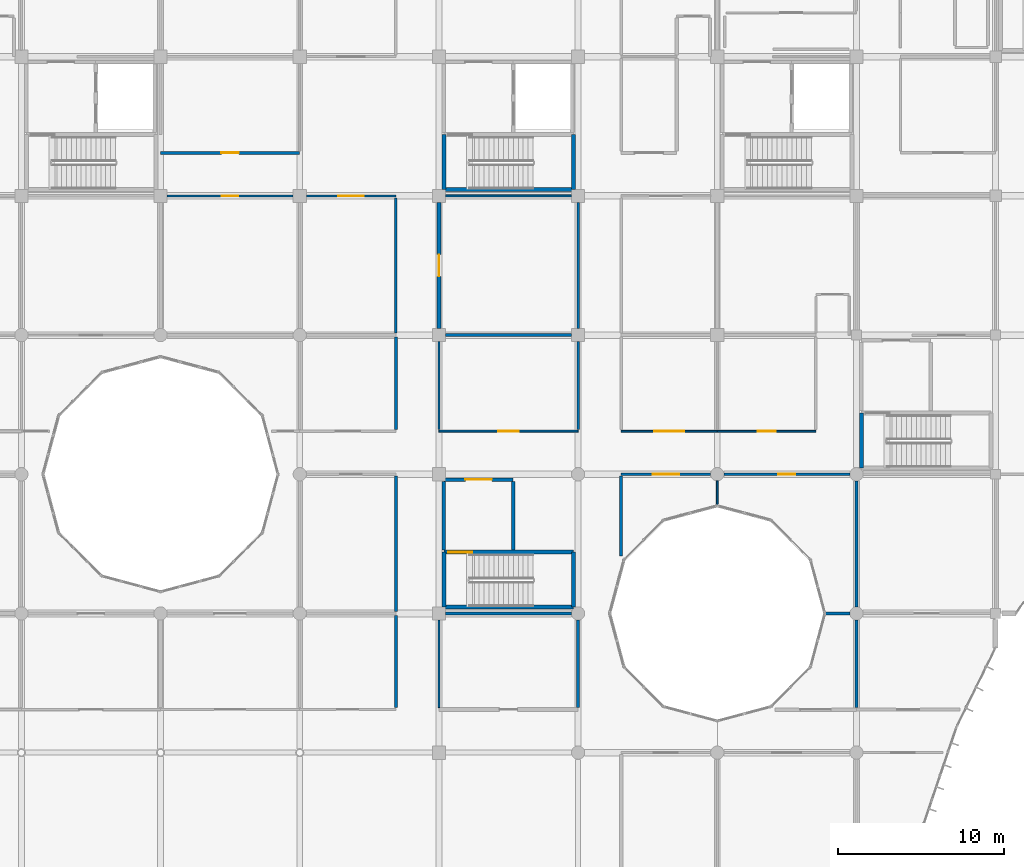
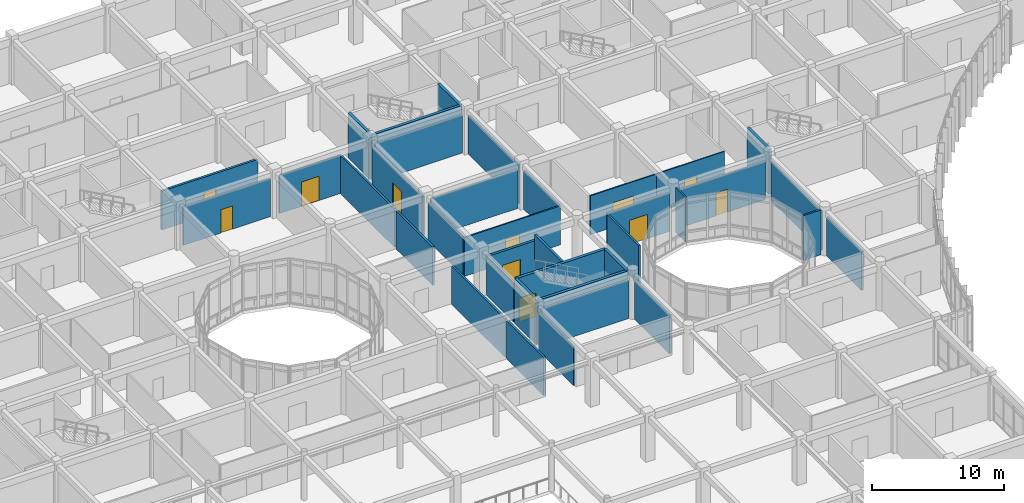
# One storey, part 112 of 144: 37 walls, 11 doors, 11 openings.
"""IFC4 building model written with IfcOpenShell, lengths in metres."""

from ifc_helpers import new_model, si_unit, direction, frame, frame_2d, origin, place, context, subcontext, project, spatial, rectangle, extrude, material, layer, layer_set, type_object, element, fill, save


model = new_model("IFC4")

# Units and contexts
model_context = context("Model", 3, precision=1e-05, world=origin(), true_north=direction((0.0, 1.0)))
body_context = subcontext(model_context, "Body", "Model", "MODEL_VIEW")
ifc_project = project(units=[si_unit("LENGTHUNIT", "METRE"), si_unit("AREAUNIT", "SQUARE_METRE"), si_unit("VOLUMEUNIT", "CUBIC_METRE"), si_unit("PLANEANGLEUNIT", "RADIAN"), si_unit("MASSUNIT", "GRAM", prefix="KILO")], contexts=[model_context])

# Site, building, storey
site_placement = place(None, origin())
site = spatial("IfcSite", under=ifc_project, at=site_placement, CompositionType="ELEMENT")
building_placement = place(site_placement, origin())
building = spatial("IfcBuilding", under=site, at=building_placement, Name="Bramfleet General Hospital", CompositionType="ELEMENT")
storey_placement = place(building_placement, frame((0.0, 0.0, 4.800048828125)))
storey = spatial("IfcBuildingStorey", under=building, at=storey_placement, Name="L01", CompositionType="ELEMENT", Elevation=4.800048828125)

# Wall, opening, door
ifc_material_1 = material(Name="Concrete C35/45", Category="concrete")
ifc_layer_1 = layer(ifc_material_1, 0.219970703125, Name="WT-IW-01")
ifc_layer_set_1 = layer_set([ifc_layer_1], Name="Concrete C35/45")
wall_type_1 = type_object("IfcWallType", Name="WT-IW-01", PredefinedType="PARTITIONING", material=ifc_layer_set_1)
wall_1_placement = place(storey_placement, frame((100.800048828125, 84.39501953125, 0.0), z_axis=(0.0, 0.0, 1.0), x_axis=(0.0, 1.0, 0.0)))
wall_1 = element("IfcWall", 1, at=wall_1_placement, inside=storey, type_object=wall_type_1, Name="L01 Interior Partition IW-L01-1813", PredefinedType="PARTITIONING", context=body_context, shape_type="SweptSolid", body=[
    extrude(rectangle(XDim=7.60986328125, YDim=0.219970703125, at=frame_2d((3.804931640625, 0.0))), origin(), (0.0, 0.0, 1.0), 3.58984375),
])
opening_1_placement = place(wall_1_placement, frame((3.14501953125, 0.0, 0.0)))
opening_1 = element("IfcOpeningElement", 2, at=opening_1_placement, cuts=wall_1, Name="Opening D0760", PredefinedType="OPENING", context=body_context, shape_type="SweptSolid", body=[
    extrude(rectangle(XDim=1.320068359375, YDim=2.179931640625, at=frame_2d((0.66015625, 1.08984375))), frame((0.0, 0.119873046875, 0.0), z_axis=(0.0, -1.0, 0.0), x_axis=(1.0, 0.0, 0.0)), (0.0, 0.0, 1.0), 0.239990234375),
])
ifc_material_2 = material(Name="Stainless steel and acoustic timber leaf", Category="steel")
door_type_1 = type_object("IfcDoorType", Name="DR-D-24", OperationType="NOTDEFINED", PredefinedType="DOOR", material=ifc_material_2)
door_1_placement = place(opening_1_placement, origin())
door_1 = element("IfcDoor", 3, at=door_1_placement, inside=storey, type_object=door_type_1, Name="Pathology and Clinical Laboratory L01-1210A Door D0760", OperationType="SINGLE_SWING_LEFT", OverallHeight=2.179931640625, OverallWidth=1.320068359375, PredefinedType="DOOR", context=body_context, shape_type="SweptSolid", body=[
    extrude(rectangle(XDim=1.320068359375, YDim=2.179931640625, at=frame_2d((0.66015625, 1.08984375))), frame((0.0, 0.02490234375, 0.0), z_axis=(0.0, -1.0, 0.0), x_axis=(1.0, 0.0, 0.0)), (0.0, 0.0, 1.0), 0.050048828125),
])
fill(opening_1, door_1)

# Walls
ifc_layer_2 = layer(ifc_material_1, 0.205078125, Name="WT-IW-02")
ifc_layer_set_2 = layer_set([ifc_layer_2], Name="Concrete C35/45")
wall_type_2 = type_object("IfcWallType", Name="WT-IW-02", PredefinedType="PARTITIONING", material=ifc_layer_set_2)
wall_2_placement = place(storey_placement, frame((105.280029296875, 71.0400390625, 0.0), z_axis=(0.0, 0.0, 1.0), x_axis=(0.0, 1.0, 0.0)))
element("IfcWall", 4, at=wall_2_placement, inside=storey, type_object=wall_type_2, Name="L01 C11 Lobby East Shaft Wall", PredefinedType="PARTITIONING", context=body_context, shape_type="SweptSolid", body=[
    extrude(rectangle(XDim=4.119873046875, YDim=0.205078125, at=frame_2d((2.06005859375, 0.0))), origin(), (0.0, 0.0, 1.0), 4.139892578125),
])
wall_3_placement = place(storey_placement, frame((101.10009765625, 71.0400390625, 0.0), z_axis=(0.0, 0.0, 1.0), x_axis=(0.0, 1.0, 0.0)))
element("IfcWall", 5, at=wall_3_placement, inside=storey, type_object=wall_type_2, Name="L01 C11 Lobby West Compartment Wall", PredefinedType="PARTITIONING", context=body_context, shape_type="SweptSolid", body=[
    extrude(rectangle(XDim=4.119873046875, YDim=0.205078125, at=frame_2d((2.06005859375, 0.0))), origin(), (0.0, 0.0, 1.0), 3.58984375),
])

# Wall, opening, door
wall_4_placement = place(storey_placement, frame((101.10009765625, 75.280029296875, 0.0), z_axis=(0.0, 0.0, 1.0), x_axis=(1.0, 0.0, 0.0)))
wall_4 = element("IfcWall", 6, at=wall_4_placement, inside=storey, type_object=wall_type_2, Name="L01 C11 Lobby North Compartment Wall", PredefinedType="PARTITIONING", context=body_context, shape_type="SweptSolid", body=[
    extrude(rectangle(XDim=4.179931640625, YDim=0.205078125, at=frame_2d((2.08984375, 0.0))), origin(), (0.0, 0.0, 1.0), 3.5400390625),
])
opening_2_placement = place(wall_4_placement, frame((1.2900390625, 0.0, 0.0)))
opening_2 = element("IfcOpeningElement", 7, at=opening_2_placement, cuts=wall_4, Name="Opening D0142", PredefinedType="OPENING", context=body_context, shape_type="SweptSolid", body=[
    extrude(rectangle(XDim=1.60009765625, YDim=2.25, at=frame_2d((0.800048828125, 1.125))), frame((0.0, 0.112548828125, 0.0), z_axis=(0.0, -1.0, 0.0), x_axis=(1.0, 0.0, 0.0)), (0.0, 0.0, 1.0), 0.22509765625),
])
door_type_2 = type_object("IfcDoorType", Name="DR-D-04", OperationType="NOTDEFINED", PredefinedType="DOOR", material=ifc_material_2)
door_2_placement = place(opening_2_placement, origin())
door_2 = element("IfcDoor", 8, at=door_2_placement, inside=storey, type_object=door_type_2, Name="L01 C11 Lobby Fire Door D0142", OperationType="DOUBLE_SWING_LEFT", OverallHeight=2.25, OverallWidth=1.60009765625, PredefinedType="DOOR", context=body_context, shape_type="SweptSolid", body=[
    extrude(rectangle(XDim=1.60009765625, YDim=2.25, at=frame_2d((0.800048828125, 1.125))), frame((0.0, 0.02490234375, 0.0), z_axis=(0.0, -1.0, 0.0), x_axis=(1.0, 0.0, 0.0)), (0.0, 0.0, 1.0), 0.050048828125),
])
fill(opening_2, door_2)

# Wall
ifc_layer_3 = layer(ifc_material_1, 0.18994140625, Name="WT-IW-03")
ifc_layer_set_3 = layer_set([ifc_layer_3], Name="Concrete C35/45")
wall_type_3 = type_object("IfcWallType", Name="WT-IW-03", PredefinedType="PARTITIONING", material=ifc_layer_set_3)
wall_5_placement = place(storey_placement, frame((101.195068359375, 84.0, 0.0), z_axis=(0.0, 0.0, 1.0), x_axis=(1.0, 0.0, 0.0)))
element("IfcWall", 9, at=wall_5_placement, inside=storey, type_object=wall_type_3, Name="L01 Interior Partition IW-L01-1467", PredefinedType="PARTITIONING", context=body_context, shape_type="SweptSolid", body=[
    extrude(rectangle(XDim=7.60986328125, YDim=0.18994140625, at=frame_2d((3.804931640625, 0.0))), origin(), (0.0, 0.0, 1.0), 3.5400390625),
])

# Wall, opening, door
wall_6_placement = place(storey_placement, frame((84.0, 95.0, 0.0), z_axis=(0.0, 0.0, 1.0), x_axis=(1.0, 0.0, 0.0)))
wall_6 = element("IfcWall", 10, at=wall_6_placement, inside=storey, type_object=wall_type_3, Name="L01 Interior Partition IW-L01-1503", PredefinedType="PARTITIONING", context=body_context, shape_type="SweptSolid", body=[
    extrude(rectangle(XDim=8.39990234375, YDim=0.18994140625, at=frame_2d((4.199951171875, 0.0))), origin(), (0.0, 0.0, 1.0), 3.58984375),
])
opening_3_placement = place(wall_6_placement, frame((3.675048828125, 0.0, 0.0)))
opening_3 = element("IfcOpeningElement", 11, at=opening_3_placement, cuts=wall_6, Name="Opening D0745", PredefinedType="OPENING", context=body_context, shape_type="SweptSolid", body=[
    extrude(rectangle(XDim=1.050048828125, YDim=2.14990234375, at=frame_2d((0.52490234375, 1.074951171875))), frame((0.0, 0.10498046875, 0.0), z_axis=(0.0, -1.0, 0.0), x_axis=(1.0, 0.0, 0.0)), (0.0, 0.0, 1.0), 0.2099609375),
])
door_type_3 = type_object("IfcDoorType", Name="DR-D-09", OperationType="NOTDEFINED", PredefinedType="DOOR", material=ifc_material_2)
door_3_placement = place(opening_3_placement, origin())
door_3 = element("IfcDoor", 12, at=door_3_placement, inside=storey, type_object=door_type_3, Name="Pathology and Clinical Laboratory L01-1011A Door D0745", OperationType="SINGLE_SWING_RIGHT", OverallHeight=2.14990234375, OverallWidth=1.050048828125, PredefinedType="DOOR", context=body_context, shape_type="SweptSolid", body=[
    extrude(rectangle(XDim=1.050048828125, YDim=2.14990234375, at=frame_2d((0.52490234375, 1.074951171875))), frame((0.0, 0.02490234375, 0.0), z_axis=(0.0, -1.0, 0.0), x_axis=(1.0, 0.0, 0.0)), (0.0, 0.0, 1.0), 0.050048828125),
])
fill(opening_3, door_3)

# Walls
wall_7_placement = place(storey_placement, frame((98.199951171875, 61.514892578125, 0.0), z_axis=(0.0, 0.0, 1.0), x_axis=(0.0, 1.0, 0.0)))
element("IfcWall", 13, at=wall_7_placement, inside=storey, type_object=wall_type_3, Name="L01 Interior Partition IW-L01-1803", PredefinedType="PARTITIONING", context=body_context, shape_type="SweptSolid", body=[
    extrude(rectangle(XDim=5.570068359375, YDim=0.18994140625, at=frame_2d((2.78515625, 0.0))), origin(), (0.0, 0.0, 1.0), 3.5400390625),
])
ifc_layer_4 = layer(ifc_material_1, 0.179931640625, Name="WT-IW-04")
ifc_layer_set_4 = layer_set([ifc_layer_4], Name="Concrete C35/45")
wall_type_4 = type_object("IfcWallType", Name="WT-IW-04", PredefinedType="PARTITIONING", material=ifc_layer_set_4)
wall_8_placement = place(storey_placement, frame((98.199951171875, 67.31494140625, 0.0), z_axis=(0.0, 0.0, 1.0), x_axis=(0.0, 1.0, 0.0)))
element("IfcWall", 14, at=wall_8_placement, inside=storey, type_object=wall_type_4, Name="L01 Interior Partition IW-L01-1804", PredefinedType="PARTITIONING", context=body_context, shape_type="SweptSolid", body=[
    extrude(rectangle(XDim=8.170166015625, YDim=0.179931640625, at=frame_2d((4.0849609375, 0.0))), origin(), (0.0, 0.0, 1.0), 3.5400390625),
])
wall_9_placement = place(storey_placement, frame((111.800048828125, 70.675048828125, 0.0), z_axis=(0.0, 0.0, 1.0), x_axis=(0.0, 1.0, 0.0)))
element("IfcWall", 15, at=wall_9_placement, inside=storey, type_object=wall_type_4, Name="L01 Interior Partition IW-L01-1828", PredefinedType="PARTITIONING", context=body_context, shape_type="SweptSolid", body=[
    extrude(rectangle(XDim=4.81005859375, YDim=0.179931640625, at=frame_2d((2.405029296875, 0.0))), origin(), (0.0, 0.0, 1.0), 3.5400390625),
])
wall_10_placement = place(storey_placement, frame((126.0, 61.514892578125, 0.0), z_axis=(0.0, 0.0, 1.0), x_axis=(0.0, 1.0, 0.0)))
element("IfcWall", 16, at=wall_10_placement, inside=storey, type_object=wall_type_4, Name="L01 Interior Partition IW-L01-1864", PredefinedType="PARTITIONING", context=body_context, shape_type="SweptSolid", body=[
    extrude(rectangle(XDim=5.2900390625, YDim=0.179931640625, at=frame_2d((2.64501953125, 0.0))), origin(), (0.0, 0.0, 1.0), 3.58984375),
])
ifc_material_3 = material(Name="Gypsum plasterboard on acoustic steel studs", Category="steel")
ifc_layer_5 = layer(ifc_material_3, 0.169921875, Name="WT-IW-05")
ifc_layer_set_5 = layer_set([ifc_layer_5], Name="Gypsum plasterboard on acoustic steel studs")
wall_type_5 = type_object("IfcWallType", Name="WT-IW-05", PredefinedType="PARTITIONING", material=ifc_layer_set_5)
wall_11_placement = place(storey_placement, frame((101.195068359375, 67.199951171875, 0.0), z_axis=(0.0, 0.0, 1.0), x_axis=(1.0, 0.0, 0.0)))
element("IfcWall", 17, at=wall_11_placement, inside=storey, type_object=wall_type_5, Name="L01 Interior Partition IW-L01-1421", PredefinedType="PARTITIONING", context=body_context, shape_type="SweptSolid", body=[
    extrude(rectangle(XDim=7.60986328125, YDim=0.169921875, at=frame_2d((3.804931640625, 0.0))), origin(), (0.0, 0.0, 1.0), 3.5400390625),
])
wall_12_placement = place(storey_placement, frame((98.199951171875, 78.31494140625, 0.0), z_axis=(0.0, 0.0, 1.0), x_axis=(0.0, 1.0, 0.0)))
element("IfcWall", 18, at=wall_12_placement, inside=storey, type_object=wall_type_5, Name="L01 Interior Partition IW-L01-1805", PredefinedType="PARTITIONING", context=body_context, shape_type="SweptSolid", body=[
    extrude(rectangle(XDim=5.570068359375, YDim=0.169921875, at=frame_2d((2.78515625, 0.0))), origin(), (0.0, 0.0, 1.0), 3.5400390625),
])
wall_13_placement = place(storey_placement, frame((109.199951171875, 61.514892578125, 0.0), z_axis=(0.0, 0.0, 1.0), x_axis=(0.0, 1.0, 0.0)))
element("IfcWall", 19, at=wall_13_placement, inside=storey, type_object=wall_type_5, Name="L01 Interior Partition IW-L01-1817", PredefinedType="PARTITIONING", context=body_context, shape_type="SweptSolid", body=[
    extrude(rectangle(XDim=5.2900390625, YDim=0.169921875, at=frame_2d((2.64501953125, 0.0))), origin(), (0.0, 0.0, 1.0), 3.58984375),
])
wall_14_placement = place(storey_placement, frame((126.0, 67.594970703125, 0.0), z_axis=(0.0, 0.0, 1.0), x_axis=(0.0, 1.0, 0.0)))
element("IfcWall", 20, at=wall_14_placement, inside=storey, type_object=wall_type_5, Name="L01 Interior Partition IW-L01-1865", PredefinedType="PARTITIONING", context=body_context, shape_type="SweptSolid", body=[
    extrude(rectangle(XDim=7.610107421875, YDim=0.169921875, at=frame_2d((3.80517578125, 0.0))), origin(), (0.0, 0.0, 1.0), 3.58984375),
])
ifc_layer_6 = layer(ifc_material_3, 0.159912109375, Name="WT-IW-06")
ifc_layer_set_6 = layer_set([ifc_layer_6], Name="Gypsum plasterboard on acoustic steel studs")
wall_type_6 = type_object("IfcWallType", Name="WT-IW-06", PredefinedType="PARTITIONING", material=ifc_layer_set_6)
wall_15_placement = place(storey_placement, frame((124.10009765625, 67.199951171875, 0.0), z_axis=(0.0, 0.0, 1.0), x_axis=(1.0, 0.0, 0.0)))
element("IfcWall", 21, at=wall_15_placement, inside=storey, type_object=wall_type_6, Name="L01 Interior Partition IW-L01-1422", PredefinedType="PARTITIONING", context=body_context, shape_type="SweptSolid", body=[
    extrude(rectangle(XDim=1.5048828125, YDim=0.159912109375, at=frame_2d((0.75244140625, 0.0))), origin(), (0.0, 0.0, 1.0), 4.139892578125),
])

# Wall, opening, door
wall_16_placement = place(storey_placement, frame((111.800048828125, 75.60009765625, 0.0), z_axis=(0.0, 0.0, 1.0), x_axis=(1.0, 0.0, 0.0)))
wall_16 = element("IfcWall", 22, at=wall_16_placement, inside=storey, type_object=wall_type_6, Name="L01 Interior Partition IW-L01-1434", PredefinedType="PARTITIONING", context=body_context, shape_type="SweptSolid", body=[
    extrude(rectangle(XDim=5.405029296875, YDim=0.159912109375, at=frame_2d((2.70263671875, 0.0))), origin(), (0.0, 0.0, 1.0), 3.5400390625),
])
opening_4_placement = place(wall_16_placement, frame((1.902587890625, 0.0, 0.0)))
opening_4 = element("IfcOpeningElement", 23, at=opening_4_placement, cuts=wall_16, Name="Opening D0772", PredefinedType="OPENING", context=body_context, shape_type="SweptSolid", body=[
    extrude(rectangle(XDim=1.60009765625, YDim=2.25, at=frame_2d((0.800048828125, 1.125))), frame((0.0, 0.08984375, 0.0), z_axis=(0.0, -1.0, 0.0), x_axis=(1.0, 0.0, 0.0)), (0.0, 0.0, 1.0), 0.179931640625),
])
door_4_placement = place(opening_4_placement, origin())
door_4 = element("IfcDoor", 24, at=door_4_placement, inside=storey, type_object=door_type_2, Name="Courtyard Waiting Lounge L01-1308 Door D0772", OperationType="DOUBLE_SWING_LEFT", OverallHeight=2.25, OverallWidth=1.60009765625, PredefinedType="DOOR", context=body_context, shape_type="SweptSolid", body=[
    extrude(rectangle(XDim=1.60009765625, YDim=2.25, at=frame_2d((0.800048828125, 1.125))), frame((0.0, 0.02490234375, 0.0), z_axis=(0.0, -1.0, 0.0), x_axis=(1.0, 0.0, 0.0)), (0.0, 0.0, 1.0), 0.050048828125),
])
fill(opening_4, door_4)

# Walls
wall_17_placement = place(storey_placement, frame((98.199951171875, 84.114990234375, 0.0), z_axis=(0.0, 0.0, 1.0), x_axis=(0.0, 1.0, 0.0)))
element("IfcWall", 25, at=wall_17_placement, inside=storey, type_object=wall_type_6, Name="L01 Interior Partition IW-L01-1806", PredefinedType="PARTITIONING", context=body_context, shape_type="SweptSolid", body=[
    extrude(rectangle(XDim=8.169921875, YDim=0.159912109375, at=frame_2d((4.0849609375, 0.0))), origin(), (0.0, 0.0, 1.0), 3.5400390625),
])
wall_18_placement = place(storey_placement, frame((109.199951171875, 78.31494140625, 0.0), z_axis=(0.0, 0.0, 1.0), x_axis=(0.0, 1.0, 0.0)))
element("IfcWall", 26, at=wall_18_placement, inside=storey, type_object=wall_type_6, Name="L01 Interior Partition IW-L01-1818", PredefinedType="PARTITIONING", context=body_context, shape_type="SweptSolid", body=[
    extrude(rectangle(XDim=5.2900390625, YDim=0.159912109375, at=frame_2d((2.64501953125, 0.0))), origin(), (0.0, 0.0, 1.0), 3.58984375),
])

# Wall, opening, door
ifc_layer_7 = layer(ifc_material_3, 0.14990234375, Name="WT-IW-07")
ifc_layer_set_7 = layer_set([ifc_layer_7], Name="Gypsum plasterboard on acoustic steel studs")
wall_type_7 = type_object("IfcWallType", Name="WT-IW-07", PredefinedType="PARTITIONING", material=ifc_layer_set_7)
wall_19_placement = place(storey_placement, frame((117.9951171875, 75.60009765625, 0.0), z_axis=(0.0, 0.0, 1.0), x_axis=(1.0, 0.0, 0.0)))
wall_19 = element("IfcWall", 27, at=wall_19_placement, inside=storey, type_object=wall_type_7, Name="L01 Interior Partition IW-L01-1435", PredefinedType="PARTITIONING", context=body_context, shape_type="SweptSolid", body=[
    extrude(rectangle(XDim=7.60986328125, YDim=0.14990234375, at=frame_2d((3.804931640625, 0.0))), origin(), (0.0, 0.0, 1.0), 3.5400390625),
])
opening_5_placement = place(wall_19_placement, frame((3.294921875, 0.0, 0.0)))
opening_5 = element("IfcOpeningElement", 28, at=opening_5_placement, cuts=wall_19, Name="Opening D0789", PredefinedType="OPENING", context=body_context, shape_type="SweptSolid", body=[
    extrude(rectangle(XDim=1.02001953125, YDim=2.1201171875, at=frame_2d((0.510009765625, 1.06005859375))), frame((0.0, 0.0849609375, 0.0), z_axis=(0.0, -1.0, 0.0), x_axis=(1.0, 0.0, 0.0)), (0.0, 0.0, 1.0), 0.169921875),
])
door_type_4 = type_object("IfcDoorType", Name="DR-D-21", OperationType="NOTDEFINED", PredefinedType="DOOR", material=ifc_material_2)
door_5_placement = place(opening_5_placement, origin())
door_5 = element("IfcDoor", 29, at=door_5_placement, inside=storey, type_object=door_type_4, Name="Courtyard Waiting Lounge L01-1408 Door D0789", OperationType="SINGLE_SWING_RIGHT", OverallHeight=2.1201171875, OverallWidth=1.02001953125, PredefinedType="DOOR", context=body_context, shape_type="SweptSolid", body=[
    extrude(rectangle(XDim=1.02001953125, YDim=2.1201171875, at=frame_2d((0.510009765625, 1.06005859375))), frame((0.0, 0.02490234375, 0.0), z_axis=(0.0, -1.0, 0.0), x_axis=(1.0, 0.0, 0.0)), (0.0, 0.0, 1.0), 0.050048828125),
])
fill(opening_5, door_5)

# Wall
wall_20_placement = place(storey_placement, frame((109.199951171875, 84.39501953125, 0.0), z_axis=(0.0, 0.0, 1.0), x_axis=(0.0, 1.0, 0.0)))
element("IfcWall", 30, at=wall_20_placement, inside=storey, type_object=wall_type_7, Name="L01 Interior Partition IW-L01-1819", PredefinedType="PARTITIONING", context=body_context, shape_type="SweptSolid", body=[
    extrude(rectangle(XDim=7.60986328125, YDim=0.14990234375, at=frame_2d((3.804931640625, 0.0))), origin(), (0.0, 0.0, 1.0), 3.58984375),
])

# Wall, opening, door
ifc_layer_8 = layer(ifc_material_3, 0.139892578125, Name="WT-IW-08")
ifc_layer_set_8 = layer_set([ifc_layer_8], Name="Gypsum plasterboard on acoustic steel studs")
wall_type_8 = type_object("IfcWallType", Name="WT-IW-08", PredefinedType="PARTITIONING", material=ifc_layer_set_8)
wall_21_placement = place(storey_placement, frame((84.39501953125, 92.39990234375, 0.0), z_axis=(0.0, 0.0, 1.0), x_axis=(1.0, 0.0, 0.0)))
wall_21 = element("IfcWall", 31, at=wall_21_placement, inside=storey, type_object=wall_type_8, Name="L01 Interior Partition IW-L01-1484", PredefinedType="PARTITIONING", context=body_context, shape_type="SweptSolid", body=[
    extrude(rectangle(XDim=7.60986328125, YDim=0.139892578125, at=frame_2d((3.804931640625, 0.0))), origin(), (0.0, 0.0, 1.0), 3.5400390625),
])
opening_6_placement = place(wall_21_placement, frame((3.304931640625, 0.0, 0.0)))
opening_6 = element("IfcOpeningElement", 32, at=opening_6_placement, cuts=wall_21, Name="Opening D0744", PredefinedType="OPENING", context=body_context, shape_type="SweptSolid", body=[
    extrude(rectangle(XDim=1.0, YDim=2.14990234375, at=frame_2d((0.5, 1.074951171875))), frame((0.0, 0.079833984375, 0.0), z_axis=(0.0, -1.0, 0.0), x_axis=(1.0, 0.0, 0.0)), (0.0, 0.0, 1.0), 0.159912109375),
])
door_type_5 = type_object("IfcDoorType", Name="DR-D-08", OperationType="NOTDEFINED", PredefinedType="DOOR", material=ifc_material_2)
door_6_placement = place(opening_6_placement, origin())
door_6 = element("IfcDoor", 33, at=door_6_placement, inside=storey, type_object=door_type_5, Name="Pathology and Clinical Laboratory L01-1010A Door D0744", OperationType="SINGLE_SWING_LEFT", OverallHeight=2.14990234375, OverallWidth=1.0, PredefinedType="DOOR", context=body_context, shape_type="SweptSolid", body=[
    extrude(rectangle(XDim=1.0, YDim=2.14990234375, at=frame_2d((0.5, 1.074951171875))), frame((0.0, 0.02490234375, 0.0), z_axis=(0.0, -1.0, 0.0), x_axis=(1.0, 0.0, 0.0)), (0.0, 0.0, 1.0), 0.050048828125),
])
fill(opening_6, door_6)

ifc_layer_9 = layer(ifc_material_3, 0.1298828125, Name="WT-IW-09")
ifc_layer_set_9 = layer_set([ifc_layer_9], Name="Gypsum plasterboard on acoustic steel studs")
wall_type_9 = type_object("IfcWallType", Name="WT-IW-09", PredefinedType="PARTITIONING", material=ifc_layer_set_9)
wall_22_placement = place(storey_placement, frame((92.794921875, 92.39990234375, 0.0), z_axis=(0.0, 0.0, 1.0), x_axis=(1.0, 0.0, 0.0)))
wall_22 = element("IfcWall", 34, at=wall_22_placement, inside=storey, type_object=wall_type_9, Name="L01 Interior Partition IW-L01-1485", PredefinedType="PARTITIONING", context=body_context, shape_type="SweptSolid", body=[
    extrude(rectangle(XDim=5.405029296875, YDim=0.1298828125, at=frame_2d((2.70263671875, 0.0))), origin(), (0.0, 0.0, 1.0), 3.5400390625),
])
opening_7_placement = place(wall_22_placement, frame((1.9326171875, 0.0, 0.0)))
opening_7 = element("IfcOpeningElement", 35, at=opening_7_placement, cuts=wall_22, Name="Opening D0753", PredefinedType="OPENING", context=body_context, shape_type="SweptSolid", body=[
    extrude(rectangle(XDim=1.5400390625, YDim=2.239990234375, at=frame_2d((0.77001953125, 1.1201171875))), frame((0.0, 0.074951171875, 0.0), z_axis=(0.0, -1.0, 0.0), x_axis=(1.0, 0.0, 0.0)), (0.0, 0.0, 1.0), 0.14990234375),
])
door_type_6 = type_object("IfcDoorType", Name="DR-D-17", OperationType="NOTDEFINED", PredefinedType="DOOR", material=ifc_material_2)
door_7_placement = place(opening_7_placement, origin())
door_7 = element("IfcDoor", 36, at=door_7_placement, inside=storey, type_object=door_type_6, Name="Pathology and Clinical Laboratory L01-1110A Door D0753", OperationType="SINGLE_SWING_RIGHT", OverallHeight=2.239990234375, OverallWidth=1.5400390625, PredefinedType="DOOR", context=body_context, shape_type="SweptSolid", body=[
    extrude(rectangle(XDim=1.5400390625, YDim=2.239990234375, at=frame_2d((0.77001953125, 1.1201171875))), frame((0.0, 0.02490234375, 0.0), z_axis=(0.0, -1.0, 0.0), x_axis=(1.0, 0.0, 0.0)), (0.0, 0.0, 1.0), 0.050048828125),
])
fill(opening_7, door_7)

ifc_layer_10 = layer(ifc_material_3, 0.1201171875, Name="WT-IW-10")
ifc_layer_set_10 = layer_set([ifc_layer_10], Name="Gypsum plasterboard on acoustic steel studs")
wall_type_10 = type_object("IfcWallType", Name="WT-IW-10", PredefinedType="PARTITIONING", material=ifc_layer_set_10)
wall_23_placement = place(storey_placement, frame((100.800048828125, 78.199951171875, 0.0), z_axis=(0.0, 0.0, 1.0), x_axis=(1.0, 0.0, 0.0)))
wall_23 = element("IfcWall", 37, at=wall_23_placement, inside=storey, type_object=wall_type_10, Name="L01 Interior Partition IW-L01-1450", PredefinedType="PARTITIONING", context=body_context, shape_type="SweptSolid", body=[
    extrude(rectangle(XDim=8.39990234375, YDim=0.1201171875, at=frame_2d((4.199951171875, 0.0))), origin(), (0.0, 0.0, 1.0), 3.58984375),
])
opening_8_placement = place(wall_23_placement, frame((3.590087890625, 0.0, 0.0)))
opening_8 = element("IfcOpeningElement", 38, at=opening_8_placement, cuts=wall_23, Name="Opening D0759", PredefinedType="OPENING", context=body_context, shape_type="SweptSolid", body=[
    extrude(rectangle(XDim=1.219970703125, YDim=2.179931640625, at=frame_2d((0.60986328125, 1.08984375))), frame((0.0, 0.070068359375, 0.0), z_axis=(0.0, -1.0, 0.0), x_axis=(1.0, 0.0, 0.0)), (0.0, 0.0, 1.0), 0.14013671875),
])
door_type_7 = type_object("IfcDoorType", Name="DR-D-23", OperationType="NOTDEFINED", PredefinedType="DOOR", material=ifc_material_2)
door_8_placement = place(opening_8_placement, origin())
door_8 = element("IfcDoor", 39, at=door_8_placement, inside=storey, type_object=door_type_7, Name="Pathology and Clinical Laboratory L01-1209A Door D0759", OperationType="SINGLE_SWING_RIGHT", OverallHeight=2.179931640625, OverallWidth=1.219970703125, PredefinedType="DOOR", context=body_context, shape_type="SweptSolid", body=[
    extrude(rectangle(XDim=1.219970703125, YDim=2.179931640625, at=frame_2d((0.60986328125, 1.08984375))), frame((0.0, 0.02490234375, 0.0), z_axis=(0.0, -1.0, 0.0), x_axis=(1.0, 0.0, 0.0)), (0.0, 0.0, 1.0), 0.050048828125),
])
fill(opening_8, door_8)

# Wall
wall_24_placement = place(storey_placement, frame((101.195068359375, 92.39990234375, 0.0), z_axis=(0.0, 0.0, 1.0), x_axis=(1.0, 0.0, 0.0)))
element("IfcWall", 40, at=wall_24_placement, inside=storey, type_object=wall_type_10, Name="L01 Interior Partition IW-L01-1486", PredefinedType="PARTITIONING", context=body_context, shape_type="SweptSolid", body=[
    extrude(rectangle(XDim=7.60986328125, YDim=0.1201171875, at=frame_2d((3.804931640625, 0.0))), origin(), (0.0, 0.0, 1.0), 3.5400390625),
])

# Wall, opening, door
ifc_layer_11 = layer(ifc_material_3, 0.112060546875, Name="WT-IW-11")
ifc_layer_set_11 = layer_set([ifc_layer_11], Name="Gypsum plasterboard on acoustic steel studs")
wall_type_11 = type_object("IfcWallType", Name="WT-IW-11", PredefinedType="PARTITIONING", material=ifc_layer_set_11)
wall_25_placement = place(storey_placement, frame((111.800048828125, 78.199951171875, 0.0), z_axis=(0.0, 0.0, 1.0), x_axis=(1.0, 0.0, 0.0)))
wall_25 = element("IfcWall", 41, at=wall_25_placement, inside=storey, type_object=wall_type_11, Name="L01 Interior Partition IW-L01-1451", PredefinedType="PARTITIONING", context=body_context, shape_type="SweptSolid", body=[
    extrude(rectangle(XDim=5.800048828125, YDim=0.112060546875, at=frame_2d((2.89990234375, 0.0))), origin(), (0.0, 0.0, 1.0), 3.58984375),
])
opening_9_placement = place(wall_25_placement, frame((2.0, 0.0, 0.0)))
opening_9 = element("IfcOpeningElement", 42, at=opening_9_placement, cuts=wall_25, Name="Opening D0773", PredefinedType="OPENING", context=body_context, shape_type="SweptSolid", body=[
    extrude(rectangle(XDim=1.800048828125, YDim=2.25, at=frame_2d((0.89990234375, 1.125))), frame((0.0, 0.06591796875, 0.0), z_axis=(0.0, -1.0, 0.0), x_axis=(1.0, 0.0, 0.0)), (0.0, 0.0, 1.0), 0.132080078125),
])
door_type_8 = type_object("IfcDoorType", Name="DR-D-05", OperationType="NOTDEFINED", PredefinedType="DOOR", material=ifc_material_2)
door_9_placement = place(opening_9_placement, origin())
door_9 = element("IfcDoor", 43, at=door_9_placement, inside=storey, type_object=door_type_8, Name="Pathology and Clinical Laboratory L01-1309A Door D0773", OperationType="DOUBLE_SWING_RIGHT", OverallHeight=2.25, OverallWidth=1.800048828125, PredefinedType="DOOR", context=body_context, shape_type="SweptSolid", body=[
    extrude(rectangle(XDim=1.800048828125, YDim=2.25, at=frame_2d((0.89990234375, 1.125))), frame((0.0, 0.02490234375, 0.0), z_axis=(0.0, -1.0, 0.0), x_axis=(1.0, 0.0, 0.0)), (0.0, 0.0, 1.0), 0.050048828125),
])
fill(opening_9, door_9)

# Walls
wall_26_placement = place(storey_placement, frame((100.800048828125, 61.514892578125, 0.0), z_axis=(0.0, 0.0, 1.0), x_axis=(0.0, 1.0, 0.0)))
element("IfcWall", 44, at=wall_26_placement, inside=storey, type_object=wall_type_11, Name="L01 Interior Partition IW-L01-1811", PredefinedType="PARTITIONING", context=body_context, shape_type="SweptSolid", body=[
    extrude(rectangle(XDim=5.2900390625, YDim=0.112060546875, at=frame_2d((2.64501953125, 0.0))), origin(), (0.0, 0.0, 1.0), 3.58984375),
])
wall_27_placement = place(storey_placement, frame((117.60009765625, 73.699951171875, 0.0), z_axis=(0.0, 0.0, 1.0), x_axis=(0.0, 1.0, 0.0)))
element("IfcWall", 45, at=wall_27_placement, inside=storey, type_object=wall_type_11, Name="L01 Interior Partition IW-L01-1847", PredefinedType="PARTITIONING", context=body_context, shape_type="SweptSolid", body=[
    extrude(rectangle(XDim=1.505126953125, YDim=0.112060546875, at=frame_2d((0.75244140625, 0.0))), origin(), (0.0, 0.0, 1.0), 4.139892578125),
])

# Wall, opening, door
ifc_layer_12 = layer(ifc_material_3, 0.10009765625, Name="WT-IW-12")
ifc_layer_set_12 = layer_set([ifc_layer_12], Name="Gypsum plasterboard on acoustic steel studs")
wall_type_12 = type_object("IfcWallType", Name="WT-IW-12", PredefinedType="PARTITIONING", material=ifc_layer_set_12)
wall_28_placement = place(storey_placement, frame((117.60009765625, 78.199951171875, 0.0), z_axis=(0.0, 0.0, 1.0), x_axis=(1.0, 0.0, 0.0)))
wall_28 = element("IfcWall", 46, at=wall_28_placement, inside=storey, type_object=wall_type_12, Name="L01 Interior Partition IW-L01-1452", PredefinedType="PARTITIONING", context=body_context, shape_type="SweptSolid", body=[
    extrude(rectangle(XDim=5.949951171875, YDim=0.10009765625, at=frame_2d((2.97509765625, 0.0))), origin(), (0.0, 0.0, 1.0), 3.58984375),
])
opening_10_placement = place(wall_28_placement, frame((2.43505859375, 0.0, 0.0)))
opening_10 = element("IfcOpeningElement", 47, at=opening_10_placement, cuts=wall_28, Name="Opening D0790", PredefinedType="OPENING", context=body_context, shape_type="SweptSolid", body=[
    extrude(rectangle(XDim=1.080078125, YDim=2.1201171875, at=frame_2d((0.5400390625, 1.06005859375))), frame((0.0, 0.06005859375, 0.0), z_axis=(0.0, -1.0, 0.0), x_axis=(1.0, 0.0, 0.0)), (0.0, 0.0, 1.0), 0.1201171875),
])
door_type_9 = type_object("IfcDoorType", Name="DR-D-22", OperationType="NOTDEFINED", PredefinedType="DOOR", material=ifc_material_2)
door_10_placement = place(opening_10_placement, origin())
door_10 = element("IfcDoor", 48, at=door_10_placement, inside=storey, type_object=door_type_9, Name="Pathology and Clinical Laboratory L01-1409A Door D0790", OperationType="SINGLE_SWING_LEFT", OverallHeight=2.1201171875, OverallWidth=1.080078125, PredefinedType="DOOR", context=body_context, shape_type="SweptSolid", body=[
    extrude(rectangle(XDim=1.080078125, YDim=2.1201171875, at=frame_2d((0.5400390625, 1.06005859375))), frame((0.0, 0.02490234375, 0.0), z_axis=(0.0, -1.0, 0.0), x_axis=(1.0, 0.0, 0.0)), (0.0, 0.0, 1.0), 0.050048828125),
])
fill(opening_10, door_10)

# Walls
wall_29_placement = place(storey_placement, frame((100.800048828125, 78.31494140625, 0.0), z_axis=(0.0, 0.0, 1.0), x_axis=(0.0, 1.0, 0.0)))
element("IfcWall", 49, at=wall_29_placement, inside=storey, type_object=wall_type_12, Name="L01 Interior Partition IW-L01-1812", PredefinedType="PARTITIONING", context=body_context, shape_type="SweptSolid", body=[
    extrude(rectangle(XDim=5.2900390625, YDim=0.10009765625, at=frame_2d((2.64501953125, 0.0))), origin(), (0.0, 0.0, 1.0), 3.58984375),
])
ifc_material_4 = material(Name="Concrete C40/50", Category="concrete")
ifc_layer_13 = layer(ifc_material_4, 0.239990234375, Name="WT-SW-240")
ifc_layer_set_13 = layer_set([ifc_layer_13], Name="Concrete C40/50")
wall_type_13 = type_object("IfcWallType", Name="WT-SW-240", PredefinedType="SHEAR", material=ifc_layer_set_13)
wall_30_placement = place(storey_placement, frame((101.10009765625, 92.780029296875, 0.0), z_axis=(0.0, 0.0, 1.0), x_axis=(1.0, 0.0, 0.0)))
element("IfcWall", 50, at=wall_30_placement, inside=storey, type_object=wall_type_13, Name="L01 C4 South Stair Shear Wall", PredefinedType="SHEAR", context=body_context, shape_type="SweptSolid", body=[
    extrude(rectangle(XDim=7.81982421875, YDim=0.239990234375, at=frame_2d((3.909912109375, 0.0))), origin(), (0.0, 0.0, 1.0), 4.14990234375),
])
for number, where, z_axis, x_axis, name in (
    (51, (101.10009765625, 92.780029296875, 0.0), (0.0, 0.0, 1.0), (0.0, 1.0, 0.0), "L01 C4 West Stair Shear Wall"),
    (52, (108.919921875, 92.780029296875, 0.0), (0.0, 0.0, 1.0), (0.0, 1.0, 0.0), "L01 C4 East Stair Shear Wall"),
):
    element("IfcWall", number, at=place(storey_placement, frame(where, z_axis=z_axis, x_axis=x_axis)), inside=storey, type_object=wall_type_13, Name=name, PredefinedType="SHEAR", context=body_context, shape_type="SweptSolid", body=[
        extrude(rectangle(XDim=3.320068359375, YDim=0.239990234375, at=frame_2d((1.66015625, 0.0))), origin(), (0.0, 0.0, 1.0), 4.14990234375),
    ])
wall_31_placement = place(storey_placement, frame((101.10009765625, 67.580078125, 0.0), z_axis=(0.0, 0.0, 1.0), x_axis=(1.0, 0.0, 0.0)))
element("IfcWall", 53, at=wall_31_placement, inside=storey, type_object=wall_type_13, Name="L01 C11 South Stair Shear Wall", PredefinedType="SHEAR", context=body_context, shape_type="SweptSolid", body=[
    extrude(rectangle(XDim=7.81982421875, YDim=0.239990234375, at=frame_2d((3.909912109375, 0.0))), origin(), (0.0, 0.0, 1.0), 4.14990234375),
])
for number, where, z_axis, x_axis, name in (
    (54, (101.10009765625, 67.580078125, 0.0), (0.0, 0.0, 1.0), (0.0, 1.0, 0.0), "L01 C11 West Stair Shear Wall"),
    (55, (108.919921875, 67.580078125, 0.0), (0.0, 0.0, 1.0), (0.0, 1.0, 0.0), "L01 C11 East Stair Shear Wall"),
):
    element("IfcWall", number, at=place(storey_placement, frame(where, z_axis=z_axis, x_axis=x_axis)), inside=storey, type_object=wall_type_13, Name=name, PredefinedType="SHEAR", context=body_context, shape_type="SweptSolid", body=[
        extrude(rectangle(XDim=3.31982421875, YDim=0.239990234375, at=frame_2d((1.659912109375, 0.0))), origin(), (0.0, 0.0, 1.0), 4.14990234375),
    ])

# Wall, opening, door
wall_32_placement = place(storey_placement, frame((101.10009765625, 70.89990234375, 0.0), z_axis=(0.0, 0.0, 1.0), x_axis=(1.0, 0.0, 0.0)))
wall_32 = element("IfcWall", 56, at=wall_32_placement, inside=storey, type_object=wall_type_13, Name="L01 C11 Stair-Lobby Shear Wall", PredefinedType="SHEAR", context=body_context, shape_type="SweptSolid", body=[
    extrude(rectangle(XDim=7.81982421875, YDim=0.239990234375, at=frame_2d((3.909912109375, 0.0))), origin(), (0.0, 0.0, 1.0), 4.14990234375),
])
opening_11_placement = place(wall_32_placement, frame((0.25, 0.0, 0.0)))
opening_11 = element("IfcOpeningElement", 57, at=opening_11_placement, cuts=wall_32, Name="Opening D0141", PredefinedType="OPENING", context=body_context, shape_type="SweptSolid", body=[
    extrude(rectangle(XDim=1.449951171875, YDim=2.199951171875, at=frame_2d((0.72509765625, 1.10009765625))), frame((0.0, 0.1298828125, 0.0), z_axis=(0.0, -1.0, 0.0), x_axis=(1.0, 0.0, 0.0)), (0.0, 0.0, 1.0), 0.260009765625),
])
door_type_10 = type_object("IfcDoorType", Name="DR-D-03", OperationType="NOTDEFINED", PredefinedType="DOOR", material=ifc_material_2)
door_11_placement = place(opening_11_placement, origin())
door_11 = element("IfcDoor", 58, at=door_11_placement, inside=storey, type_object=door_type_10, Name="L01 C11 Escape Stair Fire Door D0141", OperationType="SINGLE_SWING_RIGHT", OverallHeight=2.199951171875, OverallWidth=1.449951171875, PredefinedType="DOOR", context=body_context, shape_type="SweptSolid", body=[
    extrude(rectangle(XDim=1.449951171875, YDim=2.199951171875, at=frame_2d((0.72509765625, 1.10009765625))), frame((0.0, 0.02490234375, 0.0), z_axis=(0.0, -1.0, 0.0), x_axis=(1.0, 0.0, 0.0)), (0.0, 0.0, 1.0), 0.050048828125),
])
fill(opening_11, door_11)

# Wall
wall_33_placement = place(storey_placement, frame((126.300048828125, 75.97998046875, 0.0), z_axis=(0.0, 0.0, 1.0), x_axis=(0.0, 1.0, 0.0)))
element("IfcWall", 59, at=wall_33_placement, inside=storey, type_object=wall_type_13, Name="L01 C12 West Stair Shear Wall", PredefinedType="SHEAR", context=body_context, shape_type="SweptSolid", body=[
    extrude(rectangle(XDim=3.320068359375, YDim=0.239990234375, at=frame_2d((1.66015625, 0.0))), origin(), (0.0, 0.0, 1.0), 4.14990234375),
])

save(model, "model.ifc")
